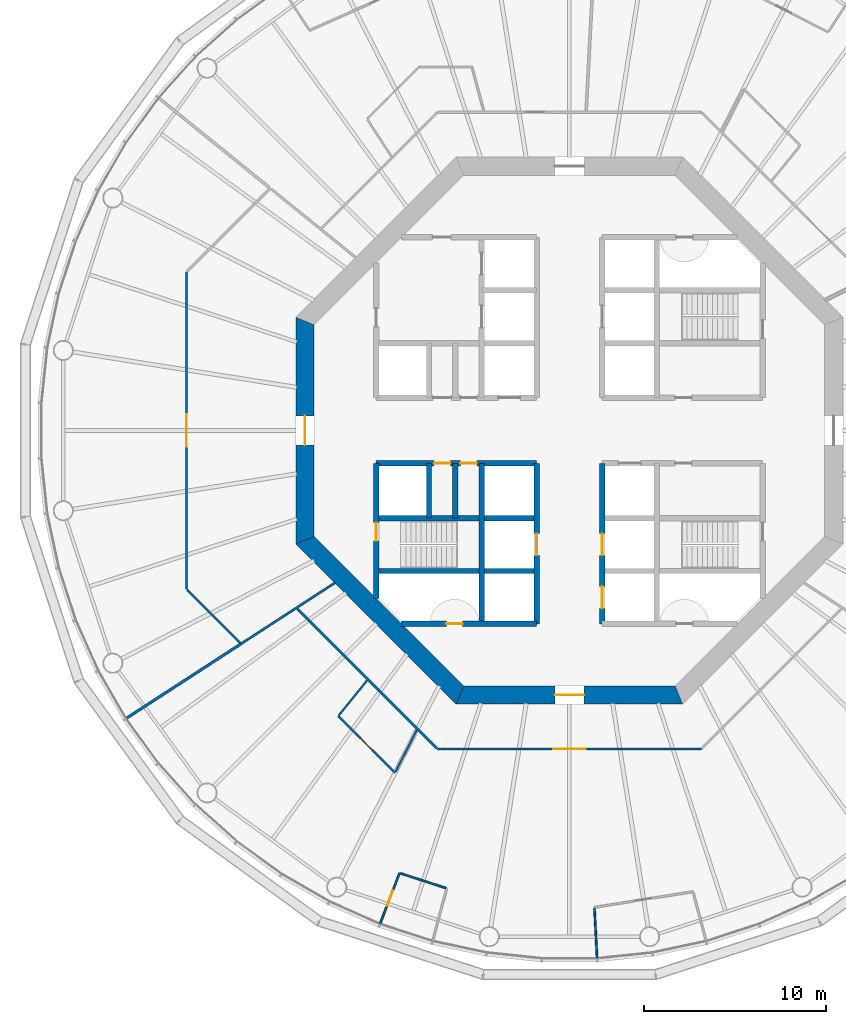
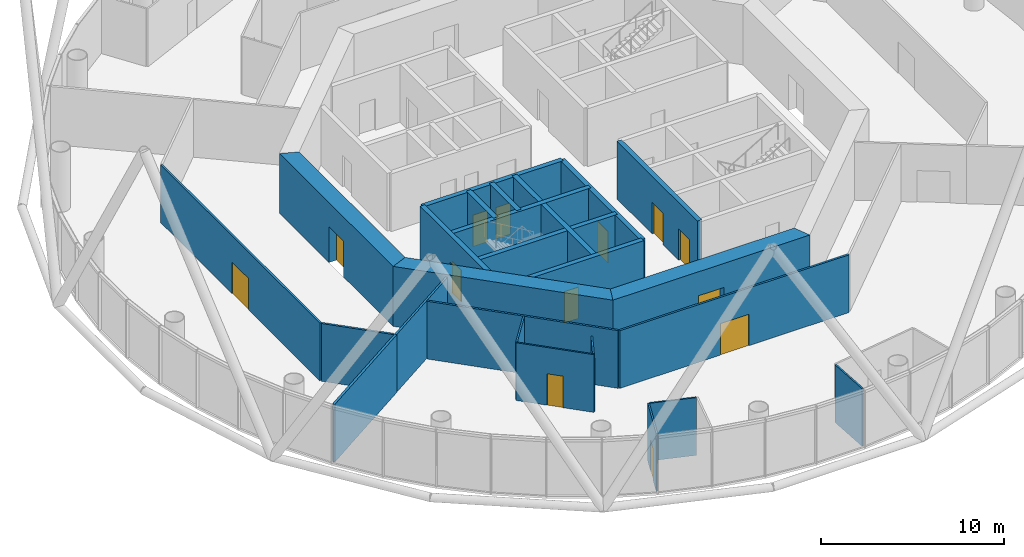
# One storey, part 3 of 13: 25 walls, 13 doors, 13 openings.
"""IFC4 building model written with IfcOpenShell, lengths in metres."""

import ifcopenshell
import ifcopenshell.guid

model = None  # the IFC model being written
_history = None  # IfcOwnerHistory: only IFC2X3 demands one
_inside = {}  # id of a spatial element -> (the spatial element, [elements in it])
_under = {}  # id of a project, library or spatial element -> (it, [spatial elements below it])
_declared = {}  # id of a project -> (the project, [libraries it declares])
_typed = {}  # id of a type object -> (the type object, [elements of that type])
_made_of = {}  # id of a material, layer set ... -> (it, [elements and type objects made of it])


def new_model(schema):
    """Start an empty IFC model of exactly this schema.

    Asked for "IFC4X3", IfcOpenShell would pick the latest addendum, in which some entities
    have other attributes; the version numbers below select the first issue.
    IFC2X3 requires an IfcOwnerHistory on every rooted entity: one is made here for all.
    """
    global model, _history
    if schema == "IFC4X3":
        model = ifcopenshell.file(schema_version=(4, 3, 0, 0))
    else:
        model = ifcopenshell.file(schema=schema)
    _inside.clear()
    _under.clear()
    _declared.clear()
    _typed.clear()
    _made_of.clear()
    _history = None
    if model.schema == "IFC2X3":
        org = make("IfcOrganization", Name="unknown")
        user = make(
            "IfcPersonAndOrganization",
            ThePerson=make("IfcPerson", FamilyName="unknown"),
            TheOrganization=org,
        )
        app = make(
            "IfcApplication",
            ApplicationDeveloper=org,
            Version="unknown",
            ApplicationFullName="unknown",
            ApplicationIdentifier="unknown",
        )
        _history = make(
            "IfcOwnerHistory",
            OwningUser=user,
            OwningApplication=app,
            ChangeAction="ADDED",
            CreationDate=0,
        )
    return model


def make(cls, **values):
    """One entity of the class cls with the attributes given. An attribute that is None is left unset."""
    return model.create_entity(
        cls, **{name: value for name, value in values.items() if value is not None}
    )


def rooted(cls, **values):
    """An entity with a GlobalId (a new one), such as an element, a storey or a relation."""
    return make(cls, GlobalId=ifcopenshell.guid.new(), OwnerHistory=_history, **values)


def si_unit(unit_type, name, prefix=None):
    """IfcSIUnit, for example si_unit("LENGTHUNIT", "METRE", prefix="MILLI")."""
    return make("IfcSIUnit", UnitType=unit_type, Prefix=prefix, Name=name)


def assignment(units):
    """IfcUnitAssignment: the units of a project."""
    return None if units is None else make("IfcUnitAssignment", Units=units)


def point(xyz):
    """IfcCartesianPoint."""
    return None if xyz is None else make("IfcCartesianPoint", Coordinates=xyz)


def direction(xyz):
    """IfcDirection."""
    return None if xyz is None else make("IfcDirection", DirectionRatios=xyz)


def frame(location, z_axis=None, x_axis=None):
    """IfcAxis2Placement3D, a coordinate frame: its origin and axes. An axis left out is left unset."""
    return make(
        "IfcAxis2Placement3D",
        Location=point(location),
        Axis=direction(z_axis),
        RefDirection=direction(x_axis),
    )


def frame_2d(location, x_axis=None):
    """IfcAxis2Placement2D, a coordinate frame in the plane: its origin and x axis."""
    return make(
        "IfcAxis2Placement2D", Location=point(location), RefDirection=direction(x_axis)
    )


def origin():
    """The frame at (0, 0, 0) with its axes left unset."""
    return frame((0.0, 0.0, 0.0))


def place(relative_to, where):
    """IfcLocalPlacement: puts the frame where relative to a parent placement (None: the world)."""
    return make(
        "IfcLocalPlacement", PlacementRelTo=relative_to, RelativePlacement=where
    )


def context(
    kind, dimensions, precision=None, world=None, true_north=None, identifier=None
):
    """IfcGeometricRepresentationContext, for example the 3D "Model" context."""
    return make(
        "IfcGeometricRepresentationContext",
        ContextIdentifier=identifier,
        ContextType=kind,
        CoordinateSpaceDimension=dimensions,
        Precision=precision,
        WorldCoordinateSystem=world,
        TrueNorth=true_north,
    )


def subcontext(parent, identifier, kind, view, scale=None):
    """IfcGeometricRepresentationSubContext, for example "Body" below "Model"."""
    return make(
        "IfcGeometricRepresentationSubContext",
        ContextIdentifier=identifier,
        ContextType=kind,
        ParentContext=parent,
        TargetScale=scale,
        TargetView=view,
    )


def project(units=None, contexts=None):
    """IfcProject with its units and contexts."""
    return rooted(
        "IfcProject",
        Name="project",
        RepresentationContexts=contexts,
        UnitsInContext=assignment(units),
    )


def spatial(cls, under=None, at=None, **own):
    """A site, building, storey or space (cls), placed at a placement, below another one or the project."""
    s = rooted(cls, ObjectPlacement=at, **own)
    if under is not None:
        _under.setdefault(under.id(), (under, []))[1].append(s)
    return s


def polyline(points):
    """IfcPolyline through the points."""
    return make("IfcPolyline", Points=[point(p) for p in points])


def profile(cls, at=None, kind="AREA", **sizes):
    """A parametric profile (cls). Its sizes go by their IFC names, for example OverallWidth=200.0."""
    return make(cls, ProfileType=kind, Position=at, **sizes)


def rectangle(**sizes):
    """IfcRectangleProfileDef."""
    return profile("IfcRectangleProfileDef", **sizes)


def outline(outer, holes=None, kind="AREA"):
    """IfcArbitraryClosedProfileDef: a profile drawn as a closed curve; with holes, ...WithVoids."""
    if holes is None:
        return make("IfcArbitraryClosedProfileDef", ProfileType=kind, OuterCurve=outer)
    return make(
        "IfcArbitraryProfileDefWithVoids",
        ProfileType=kind,
        OuterCurve=outer,
        InnerCurves=holes,
    )


def extrude(swept, where, along, depth):
    """IfcExtrudedAreaSolid: the profile swept, set in the frame where, extruded along a direction by depth."""
    return make(
        "IfcExtrudedAreaSolid",
        SweptArea=swept,
        Position=where,
        ExtrudedDirection=direction(along),
        Depth=depth,
    )


def shape(context_of_items, identifier, shape_type, items):
    """IfcShapeRepresentation: the items that make up one representation, for example the "Body"."""
    return make(
        "IfcShapeRepresentation",
        ContextOfItems=context_of_items,
        RepresentationIdentifier=identifier,
        RepresentationType=shape_type,
        Items=items,
    )


def material(Name=None, Category=None):
    """IfcMaterial."""
    return make("IfcMaterial", Name=Name, Category=Category)


def layer(
    of_material, thickness, ventilated=None, Name=None, Category=None, Priority=None
):
    """IfcMaterialLayer: one layer of a wall or slab, of a material (None: an air gap)."""
    return make(
        "IfcMaterialLayer",
        Material=of_material,
        LayerThickness=thickness,
        IsVentilated=ventilated,
        Name=Name,
        Category=Category,
        Priority=Priority,
    )


def layer_set(layers, Name=None):
    """IfcMaterialLayerSet."""
    return make("IfcMaterialLayerSet", MaterialLayers=layers, LayerSetName=Name)


def made_of(thing, what):
    """Note that an element or type object is made of a material, layer set ...; save() writes the relation."""
    if what is not None:
        _made_of.setdefault(what.id(), (what, []))[1].append(thing)
    return thing


def type_object(cls, material=None, **own):
    """A type object (cls), such as IfcWallType, which elements share."""
    return made_of(rooted(cls, **own), material)


def element(
    cls,
    number,
    at=None,
    inside=None,
    cuts=None,
    type_object=None,
    material=None,
    context=None,
    identifier="Body",
    shape_type=None,
    held_by="IfcProductDefinitionShape",
    body=None,
    shapes=None,
    **own,
):
    """One element of the class cls, such as IfcWall. Its Tag is "e" and its number.

    at: its placement. inside: the storey or other place that contains it. cuts: it is an
    opening in that element (IfcRelVoidsElement). A single representation is given by context,
    identifier, shape_type and body (its items); several are given by shapes. held_by: the class
    of the entity that holds the representations. save() writes the other relations.
    """
    e = rooted(cls, Tag="e%d" % number, ObjectPlacement=at, **own)
    if body is not None:
        shapes = [shape(context, identifier, shape_type, body)]
    if shapes is not None:
        e.Representation = make(held_by, Representations=shapes)
    if inside is not None:
        _inside.setdefault(inside.id(), (inside, []))[1].append(e)
    if cuts is not None:
        rooted(
            "IfcRelVoidsElement", RelatingBuildingElement=cuts, RelatedOpeningElement=e
        )
    if type_object is not None:
        _typed.setdefault(type_object.id(), (type_object, []))[1].append(e)
    return made_of(e, material)


def fill(opening, filler):
    """IfcRelFillsElement: the door or window that sits in an opening."""
    return rooted(
        "IfcRelFillsElement",
        RelatingOpeningElement=opening,
        RelatedBuildingElement=filler,
    )


def aggregate(whole, parts):
    """IfcRelAggregates: a whole, such as a stair, and the parts it consists of."""
    return rooted("IfcRelAggregates", RelatingObject=whole, RelatedObjects=parts)


def save(model, path):
    """Write the relations noted so far, then the file.

    IfcRelAggregates (storeys below a building ...), IfcRelContainedInSpatialStructure (elements
    in a storey), IfcRelDefinesByType, IfcRelAssociatesMaterial and IfcRelDeclares: one each for
    every whole, place, type object, material and project.
    """
    for whole, parts in _under.values():
        aggregate(whole, parts)
    for where, things in _inside.values():
        rooted(
            "IfcRelContainedInSpatialStructure",
            RelatedElements=things,
            RelatingStructure=where,
        )
    for kind, things in _typed.values():
        rooted("IfcRelDefinesByType", RelatedObjects=things, RelatingType=kind)
    for what, things in _made_of.values():
        rooted("IfcRelAssociatesMaterial", RelatedObjects=things, RelatingMaterial=what)
    for by, libraries in _declared.values():
        rooted("IfcRelDeclares", RelatingContext=by, RelatedDefinitions=libraries)
    model.write(path)


model = new_model("IFC4")

# Units and contexts
model_context = context("Model", 3, precision=1e-05, world=origin(), true_north=direction((0.0, 1.0)))
body_context = subcontext(model_context, "Body", "Model", "MODEL_VIEW")
ifc_project = project(units=[si_unit("LENGTHUNIT", "METRE"), si_unit("AREAUNIT", "SQUARE_METRE"), si_unit("VOLUMEUNIT", "CUBIC_METRE"), si_unit("PLANEANGLEUNIT", "RADIAN"), si_unit("MASSUNIT", "GRAM", prefix="KILO")], contexts=[model_context])

# Site, building, storey
site_placement = place(None, origin())
site = spatial("IfcSite", under=ifc_project, at=site_placement, CompositionType="ELEMENT")
building_placement = place(site_placement, origin())
building = spatial("IfcBuilding", under=site, at=building_placement, Name="Entoto Ring Tower", CompositionType="ELEMENT")
storey_placement = place(building_placement, frame((0.0, 0.0, 164.0)))
storey = spatial("IfcBuildingStorey", under=building, at=storey_placement, Name="L37", CompositionType="ELEMENT", Elevation=164.0)

# Wall, openings, doors
ifc_material_1 = material(Name="Concrete C40/50", Category="concrete")
ifc_layer_1 = layer(ifc_material_1, 0.300048828125)
ifc_layer_set_1 = layer_set([ifc_layer_1], Name="Concrete C40/50")
wall_type_1 = type_object("IfcWallType", Name="Core enclosure wall 300 mm reinforced concrete", PredefinedType="SOLIDWALL", material=ifc_layer_set_1)
wall_1_placement = place(storey_placement, frame((91.800048828125, 69.39990234375, 0.0), z_axis=(0.0, 0.0, 1.0), x_axis=(0.0, 1.0, 0.0)))
wall_1 = element("IfcWall", 1, at=wall_1_placement, inside=storey, type_object=wall_type_1, Name="wall-L37-005", PredefinedType="SOLIDWALL", context=body_context, shape_type="SweptSolid", body=[
    extrude(rectangle(XDim=8.800048828125, YDim=0.300048828125, at=frame_2d((4.39990234375, 0.0))), origin(), (0.0, 0.0, 1.0), 3.85009765625),
])
opening_1_placement = place(wall_1_placement, frame((3.75, 0.0, 0.0)))
opening_1 = element("IfcOpeningElement", 2, at=opening_1_placement, cuts=wall_1, Name="Opening LD", PredefinedType="OPENING", context=body_context, shape_type="SweptSolid", body=[
    extrude(rectangle(XDim=1.199951171875, YDim=2.10009765625, at=frame_2d((0.60009765625, 1.050048828125))), frame((0.0, 0.16015625, 0.0), z_axis=(0.0, -1.0, 0.0), x_axis=(1.0, 0.0, 0.0)), (0.0, 0.0, 1.0), 0.320068359375),
])
opening_2_placement = place(wall_1_placement, frame((0.85009765625, 0.0, 0.0)))
opening_2 = element("IfcOpeningElement", 3, at=opening_2_placement, cuts=wall_1, Name="Opening LD", PredefinedType="OPENING", context=body_context, shape_type="SweptSolid", body=[
    extrude(rectangle(XDim=1.199951171875, YDim=2.10009765625, at=frame_2d((0.60009765625, 1.050048828125))), frame((0.0, 0.16015625, 0.0), z_axis=(0.0, -1.0, 0.0), x_axis=(1.0, 0.0, 0.0)), (0.0, 0.0, 1.0), 0.320068359375),
])
ifc_material_2 = material(Name="Steel and glass door leaf", Category="steel")
ifc_layer_2 = layer(ifc_material_2, 0.050048828125)
ifc_layer_set_2 = layer_set([ifc_layer_2], Name="Steel and glass door leaf")
door_type_1 = type_object("IfcDoorType", Name="Landing door 1200 x 2100 sliding", OperationType="DOUBLE_DOOR_SLIDING", PredefinedType="DOOR", material=ifc_layer_set_2)
door_1_placement = place(opening_1_placement, origin())
door_1 = element("IfcDoor", 4, at=door_1_placement, inside=storey, type_object=door_type_1, Name="Landing door LB2-MR", OperationType="SLIDING_TO_RIGHT", OverallHeight=2.10009765625, OverallWidth=1.199951171875, PredefinedType="DOOR", context=body_context, shape_type="SweptSolid", body=[
    extrude(rectangle(XDim=1.199951171875, YDim=2.10009765625, at=frame_2d((0.60009765625, 1.050048828125))), frame((0.0, 0.02490234375, 0.0), z_axis=(0.0, -1.0, 0.0), x_axis=(1.0, 0.0, 0.0)), (0.0, 0.0, 1.0), 0.050048828125),
])
fill(opening_1, door_1)
door_2_placement = place(opening_2_placement, origin())
door_2 = element("IfcDoor", 5, at=door_2_placement, inside=storey, type_object=door_type_1, Name="Landing door LB3-MR", OperationType="SLIDING_TO_RIGHT", OverallHeight=2.10009765625, OverallWidth=1.199951171875, PredefinedType="DOOR", context=body_context, shape_type="SweptSolid", body=[
    extrude(rectangle(XDim=1.199951171875, YDim=2.10009765625, at=frame_2d((0.60009765625, 1.050048828125))), frame((0.0, 0.02490234375, 0.0), z_axis=(0.0, -1.0, 0.0), x_axis=(1.0, 0.0, 0.0)), (0.0, 0.0, 1.0), 0.050048828125),
])
fill(opening_2, door_2)

# Wall, opening, door
wall_2_placement = place(storey_placement, frame((88.199951171875, 69.39990234375, 0.0), z_axis=(0.0, 0.0, 1.0), x_axis=(0.0, 1.0, 0.0)))
wall_2 = element("IfcWall", 6, at=wall_2_placement, inside=storey, type_object=wall_type_1, Name="wall-L37-007", PredefinedType="SOLIDWALL", context=body_context, shape_type="SweptSolid", body=[
    extrude(rectangle(XDim=8.800048828125, YDim=0.300048828125, at=frame_2d((4.39990234375, 0.0))), origin(), (0.0, 0.0, 1.0), 3.85009765625),
])
opening_3_placement = place(wall_2_placement, frame((3.75, 0.0, 0.0)))
opening_3 = element("IfcOpeningElement", 7, at=opening_3_placement, cuts=wall_2, Name="Opening LD", PredefinedType="OPENING", context=body_context, shape_type="SweptSolid", body=[
    extrude(rectangle(XDim=1.199951171875, YDim=2.10009765625, at=frame_2d((0.60009765625, 1.050048828125))), frame((0.0, 0.16015625, 0.0), z_axis=(0.0, -1.0, 0.0), x_axis=(1.0, 0.0, 0.0)), (0.0, 0.0, 1.0), 0.320068359375),
])
door_3_placement = place(opening_3_placement, origin())
door_3 = element("IfcDoor", 8, at=door_3_placement, inside=storey, type_object=door_type_1, Name="Landing door LB4-MR", OperationType="SLIDING_TO_RIGHT", OverallHeight=2.10009765625, OverallWidth=1.199951171875, PredefinedType="DOOR", context=body_context, shape_type="SweptSolid", body=[
    extrude(rectangle(XDim=1.199951171875, YDim=2.10009765625, at=frame_2d((0.60009765625, 1.050048828125))), frame((0.0, 0.02490234375, 0.0), z_axis=(0.0, -1.0, 0.0), x_axis=(1.0, 0.0, 0.0)), (0.0, 0.0, 1.0), 0.050048828125),
])
fill(opening_3, door_3)

# Walls
wall_3_placement = place(storey_placement, frame((85.199951171875, 69.39990234375, 0.0), z_axis=(0.0, 0.0, 1.0), x_axis=(0.0, 1.0, 0.0)))
element("IfcWall", 9, at=wall_3_placement, inside=storey, type_object=wall_type_1, Name="wall-L37-009", PredefinedType="SOLIDWALL", context=body_context, shape_type="SweptSolid", body=[
    extrude(rectangle(XDim=8.800048828125, YDim=0.300048828125, at=frame_2d((4.39990234375, 0.0))), origin(), (0.0, 0.0, 1.0), 3.85009765625),
])
for number, where, z_axis, x_axis, name in (
    (10, (83.75, 75.199951171875, 0.0), (0.0, 0.0, 1.0), (0.0, 1.0, 0.0), "wall-L37-011"),
    (11, (82.300048828125, 75.199951171875, 0.0), (0.0, 0.0, 1.0), (0.0, 1.0, 0.0), "wall-L37-013"),
):
    element("IfcWall", number, at=place(storey_placement, frame(where, z_axis=z_axis, x_axis=x_axis)), inside=storey, type_object=wall_type_1, Name=name, PredefinedType="SOLIDWALL", context=body_context, shape_type="SweptSolid", body=[
        extrude(rectangle(XDim=3.0, YDim=0.300048828125, at=frame_2d((1.5, 0.0))), origin(), (0.0, 0.0, 1.0), 3.85009765625),
    ])

# Wall, opening, door
wall_4_placement = place(storey_placement, frame((79.39990234375, 70.801025390625, 0.0), z_axis=(0.0, 0.0, 1.0), x_axis=(0.0, 1.0, 0.0)))
wall_4 = element("IfcWall", 12, at=wall_4_placement, inside=storey, type_object=wall_type_1, Name="wall-L37-015", PredefinedType="SOLIDWALL", context=body_context, shape_type="SweptSolid", body=[
    extrude(rectangle(XDim=7.39892578125, YDim=0.300048828125, at=frame_2d((3.699462890625, 0.0))), origin(), (0.0, 0.0, 1.0), 3.85009765625),
])
opening_4_placement = place(wall_4_placement, frame((3.14892578125, 0.0, 0.0)))
opening_4 = element("IfcOpeningElement", 13, at=opening_4_placement, cuts=wall_4, Name="Opening K-59", PredefinedType="OPENING", context=body_context, shape_type="SweptSolid", body=[
    extrude(rectangle(XDim=1.0, YDim=2.10009765625, at=frame_2d((0.5, 1.050048828125))), frame((0.0, 0.16015625, 0.0), z_axis=(0.0, -1.0, 0.0), x_axis=(1.0, 0.0, 0.0)), (0.0, 0.0, 1.0), 0.320068359375),
])
ifc_material_3 = material(Name="Steel door leaf, fire rated", Category="steel")
ifc_layer_3 = layer(ifc_material_3, 0.050048828125)
ifc_layer_set_3 = layer_set([ifc_layer_3], Name="Steel door leaf, fire rated")
door_type_2 = type_object("IfcDoorType", Name="Fire door FD60 1000 x 2100 single leaf", OperationType="NOTDEFINED", PredefinedType="DOOR", material=ifc_layer_set_3)
door_4_placement = place(opening_4_placement, frame((1.0, 0.0, 0.0), z_axis=(0.0, 0.0, 1.0), x_axis=(-1.0, 0.0, 0.0)))
door_4 = element("IfcDoor", 14, at=door_4_placement, inside=storey, type_object=door_type_2, Name="Door K-59", OperationType="SINGLE_SWING_LEFT", OverallHeight=2.10009765625, OverallWidth=1.0, PredefinedType="DOOR", context=body_context, shape_type="SweptSolid", body=[
    extrude(rectangle(XDim=1.0, YDim=2.10009765625, at=frame_2d((0.5, 1.050048828125))), frame((0.0, 0.02490234375, 0.0), z_axis=(0.0, -1.0, 0.0), x_axis=(1.0, 0.0, 0.0)), (0.0, 0.0, 1.0), 0.050048828125),
])
fill(opening_4, door_4)

wall_5_placement = place(storey_placement, frame((80.801025390625, 69.39990234375, 0.0), z_axis=(0.0, 0.0, 1.0), x_axis=(1.0, 0.0, 0.0)))
wall_5 = element("IfcWall", 15, at=wall_5_placement, inside=storey, type_object=wall_type_1, Name="wall-L37-017", PredefinedType="SOLIDWALL", context=body_context, shape_type="SweptSolid", body=[
    extrude(rectangle(XDim=7.39892578125, YDim=0.300048828125, at=frame_2d((3.699462890625, 0.0))), origin(), (0.0, 0.0, 1.0), 3.85009765625),
])
opening_5_placement = place(wall_5_placement, frame((2.448974609375, 0.0, 0.0)))
opening_5 = element("IfcOpeningElement", 16, at=opening_5_placement, cuts=wall_5, Name="Opening K-66", PredefinedType="OPENING", context=body_context, shape_type="SweptSolid", body=[
    extrude(rectangle(XDim=0.89990234375, YDim=2.10009765625, at=frame_2d((0.449951171875, 1.050048828125))), frame((0.0, 0.16015625, 0.0), z_axis=(0.0, -1.0, 0.0), x_axis=(1.0, 0.0, 0.0)), (0.0, 0.0, 1.0), 0.320068359375),
])
ifc_material_4 = material(Name="Steel door leaf, fire rated", Category="steel")
ifc_layer_4 = layer(ifc_material_4, 0.050048828125)
ifc_layer_set_4 = layer_set([ifc_layer_4], Name="Steel door leaf, fire rated")
door_type_3 = type_object("IfcDoorType", Name="Riser door FD60 900 x 2100 single leaf", OperationType="NOTDEFINED", PredefinedType="DOOR", material=ifc_layer_set_4)
door_5_placement = place(opening_5_placement, origin())
door_5 = element("IfcDoor", 17, at=door_5_placement, inside=storey, type_object=door_type_3, Name="Door K-66", OperationType="SINGLE_SWING_RIGHT", OverallHeight=2.10009765625, OverallWidth=0.89990234375, PredefinedType="DOOR", context=body_context, shape_type="SweptSolid", body=[
    extrude(rectangle(XDim=0.89990234375, YDim=2.10009765625, at=frame_2d((0.449951171875, 1.050048828125))), frame((0.0, 0.02490234375, 0.0), z_axis=(0.0, -1.0, 0.0), x_axis=(1.0, 0.0, 0.0)), (0.0, 0.0, 1.0), 0.050048828125),
])
fill(opening_5, door_5)

# Walls
for number, where, z_axis, x_axis, name in (
    (18, (79.39990234375, 72.300048828125, 0.0), (0.0, 0.0, 1.0), (1.0, 0.0, 0.0), "wall-L37-019"),
    (19, (79.39990234375, 75.199951171875, 0.0), (0.0, 0.0, 1.0), (1.0, 0.0, 0.0), "wall-L37-021"),
):
    element("IfcWall", number, at=place(storey_placement, frame(where, z_axis=z_axis, x_axis=x_axis)), inside=storey, type_object=wall_type_1, Name=name, PredefinedType="SOLIDWALL", context=body_context, shape_type="SweptSolid", body=[
        extrude(rectangle(XDim=8.800048828125, YDim=0.300048828125, at=frame_2d((4.39990234375, 0.0))), origin(), (0.0, 0.0, 1.0), 3.85009765625),
    ])

# Wall, openings, doors
wall_6_placement = place(storey_placement, frame((79.39990234375, 78.199951171875, 0.0), z_axis=(0.0, 0.0, 1.0), x_axis=(1.0, 0.0, 0.0)))
wall_6 = element("IfcWall", 20, at=wall_6_placement, inside=storey, type_object=wall_type_1, Name="wall-L37-023", PredefinedType="SOLIDWALL", context=body_context, shape_type="SweptSolid", body=[
    extrude(rectangle(XDim=8.800048828125, YDim=0.300048828125, at=frame_2d((4.39990234375, 0.0))), origin(), (0.0, 0.0, 1.0), 3.85009765625),
])
opening_6_placement = place(wall_6_placement, frame((3.175048828125, 0.0, 0.0)))
opening_6 = element("IfcOpeningElement", 21, at=opening_6_placement, cuts=wall_6, Name="Opening K-15", PredefinedType="OPENING", context=body_context, shape_type="SweptSolid", body=[
    extrude(rectangle(XDim=0.89990234375, YDim=2.10009765625, at=frame_2d((0.449951171875, 1.050048828125))), frame((0.0, 0.16015625, 0.0), z_axis=(0.0, -1.0, 0.0), x_axis=(1.0, 0.0, 0.0)), (0.0, 0.0, 1.0), 0.320068359375),
])
opening_7_placement = place(wall_6_placement, frame((4.625, 0.0, 0.0)))
opening_7 = element("IfcOpeningElement", 22, at=opening_7_placement, cuts=wall_6, Name="Opening K-16", PredefinedType="OPENING", context=body_context, shape_type="SweptSolid", body=[
    extrude(rectangle(XDim=0.89990234375, YDim=2.10009765625, at=frame_2d((0.449951171875, 1.050048828125))), frame((0.0, 0.16015625, 0.0), z_axis=(0.0, -1.0, 0.0), x_axis=(1.0, 0.0, 0.0)), (0.0, 0.0, 1.0), 0.320068359375),
])
ifc_material_5 = material(Name="Steel door leaf, fire rated", Category="steel")
ifc_layer_5 = layer(ifc_material_5, 0.050048828125)
ifc_layer_set_5 = layer_set([ifc_layer_5], Name="Steel door leaf, fire rated")
door_type_4 = type_object("IfcDoorType", Name="Core door 900 x 2100 single leaf", OperationType="NOTDEFINED", PredefinedType="DOOR", material=ifc_layer_set_5)
door_6_placement = place(opening_6_placement, frame((0.89990234375, 0.0, 0.0), z_axis=(0.0, 0.0, 1.0), x_axis=(-1.0, 0.0, 0.0)))
door_6 = element("IfcDoor", 23, at=door_6_placement, inside=storey, type_object=door_type_4, Name="Door K-15", OperationType="SINGLE_SWING_LEFT", OverallHeight=2.10009765625, OverallWidth=0.89990234375, PredefinedType="DOOR", context=body_context, shape_type="SweptSolid", body=[
    extrude(rectangle(XDim=0.89990234375, YDim=2.10009765625, at=frame_2d((0.449951171875, 1.050048828125))), frame((0.0, 0.02490234375, 0.0), z_axis=(0.0, -1.0, 0.0), x_axis=(1.0, 0.0, 0.0)), (0.0, 0.0, 1.0), 0.050048828125),
])
fill(opening_6, door_6)
door_7_placement = place(opening_7_placement, frame((0.89990234375, 0.0, 0.0), z_axis=(0.0, 0.0, 1.0), x_axis=(-1.0, 0.0, 0.0)))
door_7 = element("IfcDoor", 24, at=door_7_placement, inside=storey, type_object=door_type_4, Name="Door K-16", OperationType="SINGLE_SWING_LEFT", OverallHeight=2.10009765625, OverallWidth=0.89990234375, PredefinedType="DOOR", context=body_context, shape_type="SweptSolid", body=[
    extrude(rectangle(XDim=0.89990234375, YDim=2.10009765625, at=frame_2d((0.449951171875, 1.050048828125))), frame((0.0, 0.02490234375, 0.0), z_axis=(0.0, -1.0, 0.0), x_axis=(1.0, 0.0, 0.0)), (0.0, 0.0, 1.0), 0.050048828125),
])
fill(opening_7, door_7)

# Wall, opening, door
ifc_material_6 = material(Name="Concrete C50/60", Category="concrete")
ifc_layer_6 = layer(ifc_material_6, 1.0)
ifc_layer_set_6 = layer_set([ifc_layer_6], Name="Concrete C50/60")
wall_type_2 = type_object("IfcWallType", Name="Core shear wall 1000 mm reinforced concrete C50/60", PredefinedType="SHEAR", material=ifc_layer_set_6)
wall_7_placement = place(storey_placement, frame((75.5, 86.006103515625, 0.0), z_axis=(0.0, 0.0, 1.0), x_axis=(0.0, -1.0, 0.0)))
wall_7 = element("IfcWall", 25, at=wall_7_placement, inside=storey, type_object=wall_type_2, Name="wall-L37-core-4", PredefinedType="SHEAR", context=body_context, shape_type="SweptSolid", body=[
    extrude(outline(polyline([(-0.20703125, -0.5), (12.21923828125, -0.5), (11.80517578125, 0.5), (0.20703125, 0.5), (-0.20703125, -0.5)])), origin(), (0.0, 0.0, 1.0), 4.0),
])
opening_8_placement = place(wall_7_placement, frame((5.2060546875, 0.0, 0.0)))
opening_8 = element("IfcOpeningElement", 26, at=opening_8_placement, cuts=wall_7, Name="Opening K-03", PredefinedType="OPENING", context=body_context, shape_type="SweptSolid", body=[
    extrude(rectangle(XDim=1.60009765625, YDim=2.39990234375, at=frame_2d((0.800048828125, 1.199951171875))), frame((0.0, 0.510009765625, 0.0), z_axis=(0.0, -1.0, 0.0), x_axis=(1.0, 0.0, 0.0)), (0.0, 0.0, 1.0), 1.02001953125),
])
ifc_material_7 = material(Name="Steel door leaf, fire rated", Category="steel")
ifc_layer_7 = layer(ifc_material_7, 0.050048828125)
ifc_layer_set_7 = layer_set([ifc_layer_7], Name="Steel door leaf, fire rated")
door_type_5 = type_object("IfcDoorType", Name="Entrance door FD60 1600 x 2400 double leaf", OperationType="DOUBLE_DOOR_SINGLE_SWING", PredefinedType="DOOR", material=ifc_layer_set_7)
door_8_placement = place(opening_8_placement, origin())
door_8 = element("IfcDoor", 27, at=door_8_placement, inside=storey, type_object=door_type_5, Name="Entrance door K-03", OperationType="DOUBLE_DOOR_SINGLE_SWING", OverallHeight=2.39990234375, OverallWidth=1.60009765625, PredefinedType="DOOR", context=body_context, shape_type="SweptSolid", body=[
    extrude(rectangle(XDim=1.60009765625, YDim=2.39990234375, at=frame_2d((0.800048828125, 1.199951171875))), frame((0.0, 0.02490234375, 0.0), z_axis=(0.0, -1.0, 0.0), x_axis=(1.0, 0.0, 0.0)), (0.0, 0.0, 1.0), 0.050048828125),
])
fill(opening_8, door_8)

# Wall
wall_8_placement = place(storey_placement, frame((75.5, 73.993896484375, 0.0), z_axis=(0.0, 0.0, 1.0), x_axis=(0.707106781187, -0.707106781187, 0.0)))
element("IfcWall", 28, at=wall_8_placement, inside=storey, type_object=wall_type_2, Name="wall-L37-core-5", PredefinedType="SHEAR", context=body_context, shape_type="SweptSolid", body=[
    extrude(outline(polyline([(-0.20703125, -0.5), (12.21923828125, -0.5), (11.80517578125, 0.5), (0.20703125, 0.5), (-0.20703125, -0.5)])), origin(), (0.0, 0.0, 1.0), 4.0),
])

# Wall, opening, door
wall_9_placement = place(storey_placement, frame((83.993896484375, 65.5, 0.0), z_axis=(0.0, 0.0, 1.0), x_axis=(1.0, 0.0, 0.0)))
wall_9 = element("IfcWall", 29, at=wall_9_placement, inside=storey, type_object=wall_type_2, Name="wall-L37-core-6", PredefinedType="SHEAR", context=body_context, shape_type="SweptSolid", body=[
    extrude(outline(polyline([(-0.20703125, -0.5), (12.21923828125, -0.5), (11.80517578125, 0.5), (0.20703125, 0.5), (-0.20703125, -0.5)])), origin(), (0.0, 0.0, 1.0), 4.0),
])
opening_9_placement = place(wall_9_placement, frame((5.2060546875, 0.0, 0.0)))
opening_9 = element("IfcOpeningElement", 30, at=opening_9_placement, cuts=wall_9, Name="Opening K-04", PredefinedType="OPENING", context=body_context, shape_type="SweptSolid", body=[
    extrude(rectangle(XDim=1.60009765625, YDim=2.39990234375, at=frame_2d((0.800048828125, 1.199951171875))), frame((0.0, 0.510009765625, 0.0), z_axis=(0.0, -1.0, 0.0), x_axis=(1.0, 0.0, 0.0)), (0.0, 0.0, 1.0), 1.02001953125),
])
door_9_placement = place(opening_9_placement, origin())
door_9 = element("IfcDoor", 31, at=door_9_placement, inside=storey, type_object=door_type_5, Name="Entrance door K-04", OperationType="DOUBLE_DOOR_SINGLE_SWING", OverallHeight=2.39990234375, OverallWidth=1.60009765625, PredefinedType="DOOR", context=body_context, shape_type="SweptSolid", body=[
    extrude(rectangle(XDim=1.60009765625, YDim=2.39990234375, at=frame_2d((0.800048828125, 1.199951171875))), frame((0.0, 0.02490234375, 0.0), z_axis=(0.0, -1.0, 0.0), x_axis=(1.0, 0.0, 0.0)), (0.0, 0.0, 1.0), 0.050048828125),
])
fill(opening_9, door_9)

ifc_material_8 = material(Name="Fire-resisting plasterboard on steel studs", Category="steel")
ifc_layer_8 = layer(ifc_material_8, 0.125)
ifc_layer_set_8 = layer_set([ifc_layer_8], Name="Fire-resisting plasterboard on steel studs")
wall_type_3 = type_object("IfcWallType", Name="Corridor wall 125 mm one-hour plasterboard on steel studs", PredefinedType="PARTITIONING", material=ifc_layer_set_8)
wall_10_placement = place(storey_placement, frame((69.0, 71.301513671875, 0.0), z_axis=(0.0, 0.0, 1.0), x_axis=(0.0, 1.0, 0.0)))
wall_10 = element("IfcWall", 32, at=wall_10_placement, inside=storey, type_object=wall_type_3, Name="partition-L37-001", PredefinedType="PARTITIONING", context=body_context, shape_type="SweptSolid", body=[
    extrude(rectangle(XDim=17.39697265625, YDim=0.125, at=frame_2d((8.698486328125, 0.0))), origin(), (0.0, 0.0, 1.0), 3.85009765625),
])
opening_10_placement = place(wall_10_placement, frame((7.798583984375, 0.0, 0.0)))
opening_10 = element("IfcOpeningElement", 33, at=opening_10_placement, cuts=wall_10, Name="Opening A16-D02", PredefinedType="OPENING", context=body_context, shape_type="SweptSolid", body=[
    extrude(rectangle(XDim=1.800048828125, YDim=2.10009765625, at=frame_2d((0.89990234375, 1.050048828125))), frame((0.0, 0.072509765625, 0.0), z_axis=(0.0, -1.0, 0.0), x_axis=(1.0, 0.0, 0.0)), (0.0, 0.0, 1.0), 0.14501953125),
])
ifc_material_9 = material(Name="Fire-resisting timber door set", Category="wood")
door_type_6 = type_object("IfcDoorType", Name="Door 1800 x 2100 double leaf FD30S fire door", OperationType="DOUBLE_DOOR_SINGLE_SWING", PredefinedType="DOOR", material=ifc_material_9)
door_10_placement = place(opening_10_placement, origin())
door_10 = element("IfcDoor", 34, at=door_10_placement, inside=storey, type_object=door_type_6, Name="Door A16-D02", OperationType="DOUBLE_DOOR_SINGLE_SWING", OverallHeight=2.10009765625, OverallWidth=1.800048828125, PredefinedType="DOOR", context=body_context, shape_type="SweptSolid", body=[
    extrude(rectangle(XDim=1.800048828125, YDim=2.10009765625, at=frame_2d((0.89990234375, 1.050048828125))), frame((0.0, 0.02490234375, 0.0), z_axis=(0.0, -1.0, 0.0), x_axis=(1.0, 0.0, 0.0)), (0.0, 0.0, 1.0), 0.050048828125),
])
fill(opening_10, door_10)

wall_11_placement = place(storey_placement, frame((82.766845703125, 62.53759765625, 0.0), z_axis=(0.0, 0.0, 1.0), x_axis=(1.0, 0.0, 0.0)))
wall_11 = element("IfcWall", 35, at=wall_11_placement, inside=storey, type_object=wall_type_3, Name="partition-L37-003", PredefinedType="PARTITIONING", context=body_context, shape_type="SweptSolid", body=[
    extrude(rectangle(XDim=14.46630859375, YDim=0.125, at=frame_2d((7.233154296875, 0.0))), origin(), (0.0, 0.0, 1.0), 3.85009765625),
])
opening_11_placement = place(wall_11_placement, frame((6.333251953125, 0.0, 0.0)))
opening_11 = element("IfcOpeningElement", 36, at=opening_11_placement, cuts=wall_11, Name="Opening A16-D09", PredefinedType="OPENING", context=body_context, shape_type="SweptSolid", body=[
    extrude(rectangle(XDim=1.800048828125, YDim=2.10009765625, at=frame_2d((0.89990234375, 1.050048828125))), frame((0.0, 0.072509765625, 0.0), z_axis=(0.0, -1.0, 0.0), x_axis=(1.0, 0.0, 0.0)), (0.0, 0.0, 1.0), 0.14501953125),
])
door_11_placement = place(opening_11_placement, origin())
door_11 = element("IfcDoor", 37, at=door_11_placement, inside=storey, type_object=door_type_6, Name="Door A16-D09", OperationType="DOUBLE_DOOR_SINGLE_SWING", OverallHeight=2.10009765625, OverallWidth=1.800048828125, PredefinedType="DOOR", context=body_context, shape_type="SweptSolid", body=[
    extrude(rectangle(XDim=1.800048828125, YDim=2.10009765625, at=frame_2d((0.89990234375, 1.050048828125))), frame((0.0, 0.02490234375, 0.0), z_axis=(0.0, -1.0, 0.0), x_axis=(1.0, 0.0, 0.0)), (0.0, 0.0, 1.0), 0.050048828125),
])
fill(opening_11, door_11)

# Walls
wall_12_placement = place(storey_placement, frame((82.735595703125, 62.568603515625, 0.0), z_axis=(0.0, 0.0, 1.0), x_axis=(-0.707095503297, 0.707118058897, 0.0)))
element("IfcWall", 38, at=wall_12_placement, inside=storey, type_object=wall_type_3, Name="partition-L37-006", PredefinedType="PARTITIONING", context=body_context, shape_type="SweptSolid", body=[
    extrude(rectangle(XDim=10.823974609375, YDim=0.125, at=frame_2d((5.412109375, 0.0))), origin(), (0.0, 0.0, 1.0), 3.85009765625),
])
wall_13_placement = place(storey_placement, frame((71.994384765625, 68.306884765625, 0.0), z_axis=(0.0, 0.0, 1.0), x_axis=(0.838658147636, 0.544658160137, 0.0)))
element("IfcWall", 39, at=wall_13_placement, inside=storey, type_object=wall_type_3, Name="partition-L37-011", PredefinedType="PARTITIONING", context=body_context, shape_type="SweptSolid", body=[
    extrude(rectangle(XDim=6.13427734375, YDim=0.125, at=frame_2d((3.067138671875, 0.0))), origin(), (0.0, 0.0, 1.0), 3.85009765625),
])
wall_14_placement = place(storey_placement, frame((71.930908203125, 68.37060546875, 0.0), z_axis=(0.0, 0.0, 1.0), x_axis=(-0.707106781187, 0.707106781187, 0.0)))
element("IfcWall", 40, at=wall_14_placement, inside=storey, type_object=wall_type_3, Name="partition-L37-014", PredefinedType="PARTITIONING", context=body_context, shape_type="SweptSolid", body=[
    extrude(rectangle(XDim=4.10107421875, YDim=0.125, at=frame_2d((2.050537109375, 0.0))), origin(), (0.0, 0.0, 1.0), 3.85009765625),
])

# Wall, opening, door
ifc_material_10 = material(Name="Plasterboard on steel studs", Category="steel")
ifc_layer_9 = layer(ifc_material_10, 0.10009765625)
ifc_layer_set_9 = layer_set([ifc_layer_9], Name="Plasterboard on steel studs")
wall_type_4 = type_object("IfcWallType", Name="Partition 100 mm plasterboard on steel studs", PredefinedType="PARTITIONING", material=ifc_layer_set_9)
wall_15_placement = place(storey_placement, frame((80.4375, 61.232421875, 0.0), z_axis=(0.0, 0.0, 1.0), x_axis=(-0.707106781187, 0.707106781187, 0.0)))
wall_15 = element("IfcWall", 41, at=wall_15_placement, inside=storey, type_object=wall_type_4, Name="partition-L37-025", PredefinedType="PARTITIONING", context=body_context, shape_type="SweptSolid", body=[
    extrude(rectangle(XDim=4.403564453125, YDim=0.10009765625, at=frame_2d((2.20166015625, 0.0))), origin(), (0.0, 0.0, 1.0), 3.85009765625),
])
opening_12_placement = place(wall_15_placement, frame((1.751708984375, 0.0, 0.0)))
opening_12 = element("IfcOpeningElement", 42, at=opening_12_placement, cuts=wall_15, Name="Opening A16-D11", PredefinedType="OPENING", context=body_context, shape_type="SweptSolid", body=[
    extrude(rectangle(XDim=0.89990234375, YDim=2.10009765625, at=frame_2d((0.449951171875, 1.050048828125))), frame((0.0, 0.06005859375, 0.0), z_axis=(0.0, -1.0, 0.0), x_axis=(1.0, 0.0, 0.0)), (0.0, 0.0, 1.0), 0.1201171875),
])
ifc_material_11 = material(Name="Veneered timber door leaf in timber frame", Category="wood")
door_type_7 = type_object("IfcDoorType", Name="Door 900 x 2100 single leaf timber veneer", OperationType="NOTDEFINED", PredefinedType="DOOR", material=ifc_material_11)
door_12_placement = place(opening_12_placement, frame((0.89990234375, 0.0, 0.0), z_axis=(0.0, 0.0, 1.0), x_axis=(-1.0, 0.0, 0.0)))
door_12 = element("IfcDoor", 43, at=door_12_placement, inside=storey, type_object=door_type_7, Name="Door A16-D11", OperationType="SINGLE_SWING_RIGHT", OverallHeight=2.10009765625, OverallWidth=0.89990234375, PredefinedType="DOOR", context=body_context, shape_type="SweptSolid", body=[
    extrude(rectangle(XDim=0.89990234375, YDim=2.10009765625, at=frame_2d((0.449951171875, 1.050048828125))), frame((0.0, 0.02490234375, 0.0), z_axis=(0.0, -1.0, 0.0), x_axis=(1.0, 0.0, 0.0)), (0.0, 0.0, 1.0), 0.050048828125),
])
fill(opening_12, door_12)

wall_16_placement = place(storey_placement, frame((79.62890625, 52.982177734375, 0.0), z_axis=(0.0, 0.0, 1.0), x_axis=(0.358368936698, 0.933580047564, 0.0)))
wall_16 = element("IfcWall", 44, at=wall_16_placement, inside=storey, type_object=wall_type_4, Name="partition-L37-028", PredefinedType="PARTITIONING", context=body_context, shape_type="SweptSolid", body=[
    extrude(rectangle(XDim=2.949951171875, YDim=0.10009765625, at=frame_2d((1.47509765625, 0.0))), origin(), (0.0, 0.0, 1.0), 3.85009765625),
])
opening_13_placement = place(wall_16_placement, frame((1.02490234375, 0.0, 0.0)))
opening_13 = element("IfcOpeningElement", 45, at=opening_13_placement, cuts=wall_16, Name="Opening A16-D12", PredefinedType="OPENING", context=body_context, shape_type="SweptSolid", body=[
    extrude(rectangle(XDim=0.89990234375, YDim=2.10009765625, at=frame_2d((0.449951171875, 1.050048828125))), frame((0.0, 0.06005859375, 0.0), z_axis=(0.0, -1.0, 0.0), x_axis=(1.0, 0.0, 0.0)), (0.0, 0.0, 1.0), 0.1201171875),
])
door_13_placement = place(opening_13_placement, frame((0.89990234375, 0.0, 0.0), z_axis=(0.0, 0.0, 1.0), x_axis=(-1.0, 0.0, 0.0)))
door_13 = element("IfcDoor", 46, at=door_13_placement, inside=storey, type_object=door_type_7, Name="Door A16-D12", OperationType="SINGLE_SWING_RIGHT", OverallHeight=2.10009765625, OverallWidth=0.89990234375, PredefinedType="DOOR", context=body_context, shape_type="SweptSolid", body=[
    extrude(rectangle(XDim=0.89990234375, YDim=2.10009765625, at=frame_2d((0.449951171875, 1.050048828125))), frame((0.0, 0.02490234375, 0.0), z_axis=(0.0, -1.0, 0.0), x_axis=(1.0, 0.0, 0.0)), (0.0, 0.0, 1.0), 0.050048828125),
])
fill(opening_13, door_13)

# Walls
wall_17_placement = place(storey_placement, frame((91.5146484375, 51.099609375, 0.0), z_axis=(0.0, 0.0, 1.0), x_axis=(-0.052331909705, 0.998629746816, 0.0)))
element("IfcWall", 47, at=wall_17_placement, inside=storey, type_object=wall_type_4, Name="partition-L37-035", PredefinedType="PARTITIONING", context=body_context, shape_type="SweptSolid", body=[
    extrude(rectangle(XDim=2.71044921875, YDim=0.10009765625, at=frame_2d((1.355224609375, 0.0))), origin(), (0.0, 0.0, 1.0), 3.85009765625),
])
wall_18_placement = place(storey_placement, frame((83.225830078125, 54.910888671875, 0.0), z_axis=(0.0, 0.0, 1.0), x_axis=(-0.951059395916, 0.309008131673, 0.0)))
element("IfcWall", 48, at=wall_18_placement, inside=storey, type_object=wall_type_4, Name="partition-L37-037", PredefinedType="PARTITIONING", context=body_context, shape_type="SweptSolid", body=[
    extrude(rectangle(XDim=2.62060546875, YDim=0.10009765625, at=frame_2d((1.310302734375, 0.0))), origin(), (0.0, 0.0, 1.0), 3.85009765625),
])
wall_19_placement = place(storey_placement, frame((77.35498046875, 64.384765625, 0.0), z_axis=(0.0, 0.0, 1.0), x_axis=(0.629283655167, 0.777175708151, 0.0)))
element("IfcWall", 49, at=wall_19_placement, inside=storey, type_object=wall_type_4, Name="partition-L37-040", PredefinedType="PARTITIONING", context=body_context, shape_type="SweptSolid", body=[
    extrude(rectangle(XDim=2.46630859375, YDim=0.10009765625, at=frame_2d((1.233154296875, 0.0))), origin(), (0.0, 0.0, 1.0), 3.85009765625),
])
ifc_material_12 = material(Name="Plasterboard on steel studs", Category="steel")
ifc_layer_10 = layer(ifc_material_12, 0.10009765625)
ifc_layer_set_10 = layer_set([ifc_layer_10], Name="Plasterboard on steel studs")
wall_type_5 = type_object("IfcWallType", Name="Partition 100 mm plasterboard on steel studs, 3250 mm high", PredefinedType="PARTITIONING", material=ifc_layer_set_10)
wall_20_placement = place(storey_placement, frame((80.468505859375, 61.29345703125, 0.0), z_axis=(0.0, 0.0, 1.0), x_axis=(0.454050461823, 0.890975969439, 0.0)))
element("IfcWall", 50, at=wall_20_placement, inside=storey, type_object=wall_type_5, Name="partition-L37-038", PredefinedType="PARTITIONING", context=body_context, shape_type="SweptSolid", body=[
    extrude(rectangle(XDim=2.552001953125, YDim=0.10009765625, at=frame_2d((1.27587890625, 0.0))), origin(), (0.0, 0.0, 1.0), 3.25),
])
ifc_material_13 = material(Name="Fire-resisting acoustic plasterboard on steel studs", Category="steel")
ifc_layer_11 = layer(ifc_material_13, 0.14990234375)
ifc_layer_set_11 = layer_set([ifc_layer_11], Name="Fire-resisting acoustic plasterboard on steel studs")
wall_type_6 = type_object("IfcWallType", Name="Party wall 150 mm one-hour acoustic plasterboard on steel studs", PredefinedType="PARTITIONING", material=ifc_layer_set_11)
wall_21_placement = place(storey_placement, frame((65.72900390625, 64.238037109375, 0.0), z_axis=(0.0, 0.0, 1.0), x_axis=(0.838666792269, 0.544644849003, 0.0)))
element("IfcWall", 51, at=wall_21_placement, inside=storey, type_object=wall_type_6, Name="partition-L37-019", PredefinedType="PARTITIONING", context=body_context, shape_type="SweptSolid", body=[
    extrude(rectangle(XDim=7.470703125, YDim=0.14990234375, at=frame_2d((3.7353515625, 0.0))), origin(), (0.0, 0.0, 1.0), 3.85009765625),
])

save(model, "model.ifc")
